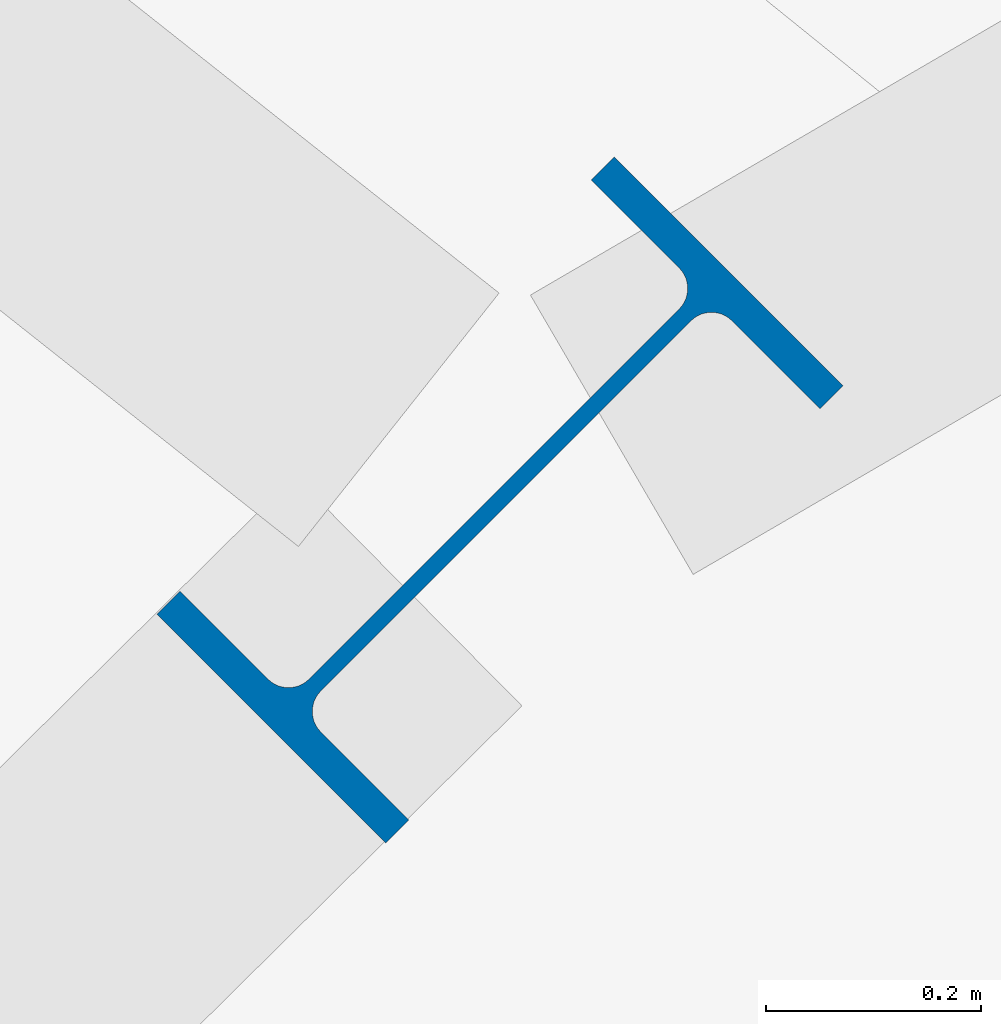
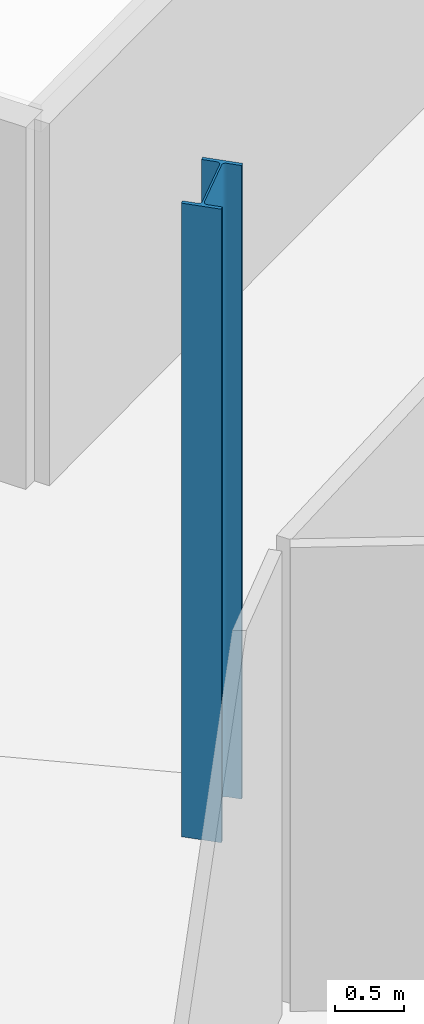
# One storey, part 5 of 99: 1 column.
"""IFC4 building model written with IfcOpenShell, lengths in metres."""

from ifc_helpers import new_model, si_unit, direction, frame, origin, origin_2d, place, context, subcontext, project, spatial, i_section, extrude, material, material_profile, profile_set, type_object, element, save


model = new_model("IFC4")

# Units and contexts
model_context = context("Model", 3, precision=1e-05, world=origin(), true_north=direction((0.0, 1.0)))
body_context = subcontext(model_context, "Body", "Model", "MODEL_VIEW")
ifc_project = project(units=[si_unit("LENGTHUNIT", "METRE"), si_unit("AREAUNIT", "SQUARE_METRE"), si_unit("VOLUMEUNIT", "CUBIC_METRE"), si_unit("PLANEANGLEUNIT", "RADIAN"), si_unit("MASSUNIT", "GRAM", prefix="KILO")], contexts=[model_context])

# Site, building, storey
site_placement = place(None, origin())
site = spatial("IfcSite", under=ifc_project, at=site_placement, CompositionType="ELEMENT")
building_placement = place(site_placement, origin())
building = spatial("IfcBuilding", under=site, at=building_placement, Name="Zlatoyarsky Gate Stadium", CompositionType="ELEMENT")
storey_placement = place(building_placement, frame((0.0, 0.0, 26.199951171875)))
storey = spatial("IfcBuildingStorey", under=building, at=storey_placement, Name="L05", CompositionType="ELEMENT", Elevation=26.199951171875)

# Column
ifc_material = material(Name="Steel S355", Category="steel")
ifc_material_profile = material_profile(ifc_material, i_section(OverallWidth=0.300048828125, OverallDepth=0.60009765625, WebThickness=0.015380859375, FlangeThickness=0.030029296875, FilletRadius=0.027099609375, at=origin_2d()), Name="HEB 600")
ifc_profile_set = profile_set([ifc_material_profile], Name="Steel S355")
column_type = type_object("IfcColumnType", Name="STEEL COLUMN HEB 600", PredefinedType="COLUMN", material=ifc_profile_set)
column_placement = place(storey_placement, frame((53.724365234375, 123.487060546875, 0.0), z_axis=(0.0, 0.0, 1.0), x_axis=(-0.707106781187, 0.707106781187, 0.0)))
element("IfcColumn", 1, at=column_placement, inside=storey, type_object=column_type, Name="Column ST-C600 RB-09 on L05", PredefinedType="COLUMN", context=body_context, shape_type="SweptSolid", body=[
    extrude(i_section(OverallWidth=0.300048828125, OverallDepth=0.60009765625, WebThickness=0.015380859375, FlangeThickness=0.030029296875, FilletRadius=0.027099609375, at=origin_2d()), origin(), (0.0, 0.0, 1.0), 5.60009765625),
])

save(model, "model.ifc")
